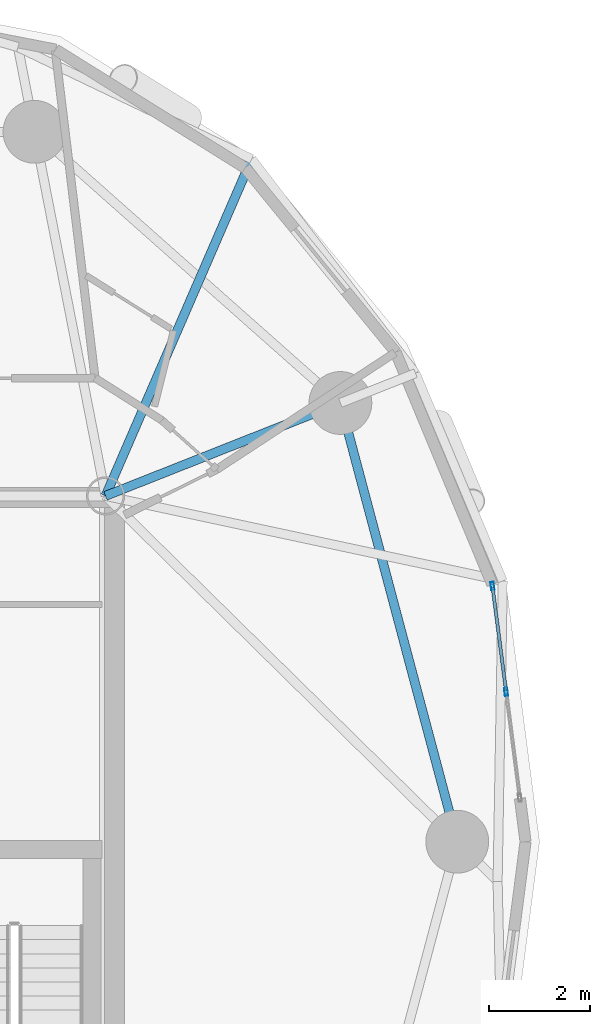
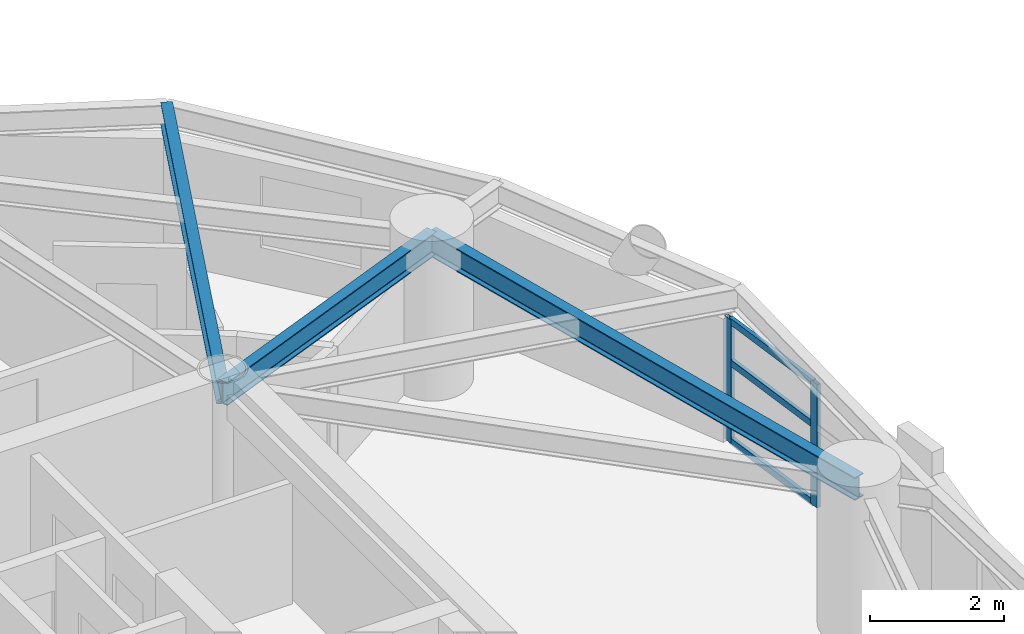
# One storey, part 3 of 16: 5 members, 3 beams, 1 element without a shape of its own.
"""IFC4 building model written with IfcOpenShell, lengths in metres."""

from ifc_helpers import new_model, si_unit, direction, frame, origin, origin_2d, place, context, subcontext, project, spatial, hollow_rectangle, i_section, extrude, material, layer, layer_set, material_profile, profile_set, type_object, element, aggregate, save


model = new_model("IFC4")

# Units and contexts
model_context = context("Model", 3, precision=1e-05, world=origin(), true_north=direction((0.0, 1.0)))
body_context = subcontext(model_context, "Body", "Model", "MODEL_VIEW")
ifc_project = project(units=[si_unit("LENGTHUNIT", "METRE"), si_unit("AREAUNIT", "SQUARE_METRE"), si_unit("VOLUMEUNIT", "CUBIC_METRE"), si_unit("PLANEANGLEUNIT", "RADIAN"), si_unit("MASSUNIT", "GRAM", prefix="KILO")], contexts=[model_context])

# Site, building, storey
site_placement = place(None, origin())
site = spatial("IfcSite", under=ifc_project, at=site_placement, CompositionType="ELEMENT")
building_placement = place(site_placement, origin())
building = spatial("IfcBuilding", under=site, at=building_placement, Name="Cununo Teusaquillo Station Towers", CompositionType="ELEMENT")
storey_placement = place(building_placement, frame((0.0, 0.0, 180.699951171875)))
storey = spatial("IfcBuildingStorey", under=building, at=storey_placement, Name="L57", CompositionType="ELEMENT", Elevation=180.699951171875)

# Beams
ifc_material_1 = material(Name="Steel ASTM A572 Grade 50", Category="steel")
ifc_material_profile_1 = material_profile(ifc_material_1, i_section(OverallWidth=0.180908203125, OverallDepth=0.4169921875, WebThickness=0.010986328125, FlangeThickness=0.018310546875, FilletRadius=0.012939453125, at=origin_2d()), Name="W16X57")
ifc_profile_set_1 = profile_set([ifc_material_profile_1], Name="Steel ASTM A572 Grade 50")
beam_type_1 = type_object("IfcBeamType", Name="BM-JOIST-1", PredefinedType="JOIST", material=ifc_profile_set_1)
beam_1_placement = place(storey_placement, frame((21.675048828125, 31.3798828125, 2.4814453125), z_axis=(0.397903718051, 0.917427180304, 0.0), x_axis=(-0.917427180304, 0.397903718051, 0.0)))
element("IfcBeam", 1, at=beam_1_placement, inside=storey, type_object=beam_type_1, Name="L57 Tower A Radial Spandrel Joist V03", PredefinedType="JOIST", context=body_context, shape_type="SweptSolid", body=[
    extrude(i_section(OverallWidth=0.180908203125, OverallDepth=0.4169921875, WebThickness=0.010986328125, FlangeThickness=0.018310546875, FilletRadius=0.012939453125, at=origin_2d()), origin(), (0.0, 0.0, 1.0), 7.306884765625),
])
ifc_material_2 = material(Name="Steel ASTM A572 Grade 50", Category="steel")
ifc_material_profile_2 = material_profile(ifc_material_2, i_section(OverallWidth=0.180908203125, OverallDepth=0.4169921875, WebThickness=0.010986328125, FlangeThickness=0.018310546875, FilletRadius=0.012939453125, at=origin_2d()), Name="W16X57")
ifc_profile_set_2 = profile_set([ifc_material_profile_2], Name="Steel ASTM A572 Grade 50")
beam_type_2 = type_object("IfcBeamType", Name="BM-RAD-G2", PredefinedType="BEAM", material=ifc_profile_set_2)
beam_2_placement = place(storey_placement, frame((21.675048828125, 31.3798828125, 2.4814453125), z_axis=(0.929864104313, 0.367903176814, 0.0), x_axis=(-0.367903176814, 0.929864104313, 0.0)))
element("IfcBeam", 2, at=beam_2_placement, inside=storey, type_object=beam_type_2, Name="L57 Tower A Radial Girder 02A", PredefinedType="BEAM", context=body_context, shape_type="SweptSolid", body=[
    extrude(i_section(OverallWidth=0.180908203125, OverallDepth=0.4169921875, WebThickness=0.010986328125, FlangeThickness=0.018310546875, FilletRadius=0.012939453125, at=origin_2d()), origin(), (0.0, 0.0, 1.0), 5.02490234375),
])
ifc_material_3 = material(Name="Steel ASTM A572 Grade 50", Category="steel")
ifc_material_profile_3 = material_profile(ifc_material_3, i_section(OverallWidth=0.180908203125, OverallDepth=0.4169921875, WebThickness=0.010986328125, FlangeThickness=0.018310546875, FilletRadius=0.012939453125, at=origin_2d()), Name="W16X57")
ifc_profile_set_3 = profile_set([ifc_material_profile_3], Name="Steel ASTM A572 Grade 50")
beam_type_3 = type_object("IfcBeamType", Name="BM-RING-Z3", PredefinedType="SPANDREL", material=ifc_profile_set_3)
beam_3_placement = place(storey_placement, frame((28.672119140625, 24.5, 2.4814453125), z_axis=(-0.257363196347, 0.966314744359, 0.0), x_axis=(-0.966314744359, -0.257363196347, 0.0)))
element("IfcBeam", 3, at=beam_3_placement, inside=storey, type_object=beam_type_3, Name="L57 Tower A Structural Column Ring Girder 01", PredefinedType="SPANDREL", context=body_context, shape_type="SweptSolid", body=[
    extrude(i_section(OverallWidth=0.180908203125, OverallDepth=0.4169921875, WebThickness=0.010986328125, FlangeThickness=0.018310546875, FilletRadius=0.012939453125, at=origin_2d()), origin(), (0.0, 0.0, 1.0), 9.03271484375),
])

# Curtain wall, members
ifc_material_4 = material(Name="Operable acoustic tinted low-E double glazing", Category="glass")
ifc_layer = layer(ifc_material_4, 0.179931640625)
ifc_layer_set = layer_set([ifc_layer], Name="Operable acoustic tinted low-E double glazing")
curtain_wall_type = type_object("IfcCurtainWallType", Name="CW-SYS-06", PredefinedType="USERDEFINED", material=ifc_layer_set)
curtain_wall_placement = place(storey_placement, origin())
curtain_wall = element("IfcCurtainWall", 4, at=curtain_wall_placement, inside=storey, type_object=curtain_wall_type, Name="L57 Tower A Facade Curtain Wall C00", ObjectType="OPERABLE GLAZING", PredefinedType="USERDEFINED")
ifc_material_5 = material(Name="Anodised dark bronze aluminium EN AW-6063-T6", Category="aluminium")
ifc_material_profile_4 = material_profile(ifc_material_5, hollow_rectangle(XDim=0.06494140625, YDim=0.159912109375, WallThickness=0.00390625, at=origin_2d()), Name="CW-MULL-65x160")
ifc_profile_set_4 = profile_set([ifc_material_profile_4], Name="Anodised dark bronze aluminium EN AW-6063-T6")
member_type_1 = type_object("IfcMemberType", Name="CWM-160", PredefinedType="MULLION", material=ifc_profile_set_4)
member_1_placement = place(storey_placement, frame((29.372802734375, 29.588134765625, 0.0), z_axis=(0.0, 0.0, 1.0), x_axis=(0.991737283761, 0.128285462927, 0.0)))
member_1 = element("IfcMember", 5, at=member_1_placement, type_object=member_type_1, Name="CW-06 mullion 1", PredefinedType="MULLION", context=body_context, shape_type="SweptSolid", body=[
    extrude(hollow_rectangle(XDim=0.06494140625, YDim=0.159912109375, WallThickness=0.00390625, at=origin_2d()), origin(), (0.0, 0.0, 1.0), 2.2451171875),
])
member_2_placement = place(storey_placement, frame((29.645263671875, 27.481689453125, 0.0), z_axis=(0.0, 0.0, 1.0), x_axis=(0.991737283761, 0.128285462927, 0.0)))
member_2 = element("IfcMember", 6, at=member_2_placement, type_object=member_type_1, Name="CW-06 mullion 2", PredefinedType="MULLION", context=body_context, shape_type="SweptSolid", body=[
    extrude(hollow_rectangle(XDim=0.06494140625, YDim=0.159912109375, WallThickness=0.00390625, at=origin_2d()), origin(), (0.0, 0.0, 1.0), 2.2451171875),
])
ifc_material_6 = material(Name="Anodised dark bronze aluminium EN AW-6063-T6", Category="aluminium")
ifc_material_profile_5 = material_profile(ifc_material_6, hollow_rectangle(XDim=0.06494140625, YDim=0.1201171875, WallThickness=0.00390625, at=origin_2d()), Name="CW-TRAN-65x120")
ifc_profile_set_5 = profile_set([ifc_material_profile_5], Name="Anodised dark bronze aluminium EN AW-6063-T6")
member_type_2 = type_object("IfcMemberType", Name="CWT-120", PredefinedType="USERDEFINED", material=ifc_profile_set_5)
member_3_placement = place(storey_placement, frame((29.376953125, 29.555908203125, 0.032470703125), z_axis=(0.128294885484, -0.991736064867, 0.0), x_axis=(0.991736064867, 0.128294885484, 0.0)))
member_3 = element("IfcMember", 7, at=member_3_placement, type_object=member_type_2, Name="CW-06 transom 1.1", ObjectType="TRANSOM", PredefinedType="USERDEFINED", context=body_context, shape_type="SweptSolid", body=[
    extrude(hollow_rectangle(XDim=0.06494140625, YDim=0.1201171875, WallThickness=0.00390625, at=origin_2d()), origin(), (0.0, 0.0, 1.0), 2.05908203125),
])
member_4_placement = place(storey_placement, frame((29.376953125, 29.555908203125, 1.458984375), z_axis=(0.128294885484, -0.991736064867, 0.0), x_axis=(0.991736064867, 0.128294885484, 0.0)))
member_4 = element("IfcMember", 8, at=member_4_placement, type_object=member_type_2, Name="CW-06 transom 1.2", ObjectType="TRANSOM", PredefinedType="USERDEFINED", context=body_context, shape_type="SweptSolid", body=[
    extrude(hollow_rectangle(XDim=0.06494140625, YDim=0.1201171875, WallThickness=0.00390625, at=origin_2d()), origin(), (0.0, 0.0, 1.0), 2.05908203125),
])
member_5_placement = place(storey_placement, frame((29.376953125, 29.555908203125, 2.212646484375), z_axis=(0.128294885484, -0.991736064867, 0.0), x_axis=(0.991736064867, 0.128294885484, 0.0)))
member_5 = element("IfcMember", 9, at=member_5_placement, type_object=member_type_2, Name="CW-06 transom 1.3", ObjectType="TRANSOM", PredefinedType="USERDEFINED", context=body_context, shape_type="SweptSolid", body=[
    extrude(hollow_rectangle(XDim=0.06494140625, YDim=0.1201171875, WallThickness=0.00390625, at=origin_2d()), origin(), (0.0, 0.0, 1.0), 2.05908203125),
])
aggregate(curtain_wall, [member_1, member_2, member_3, member_4, member_5])

save(model, "model.ifc")
